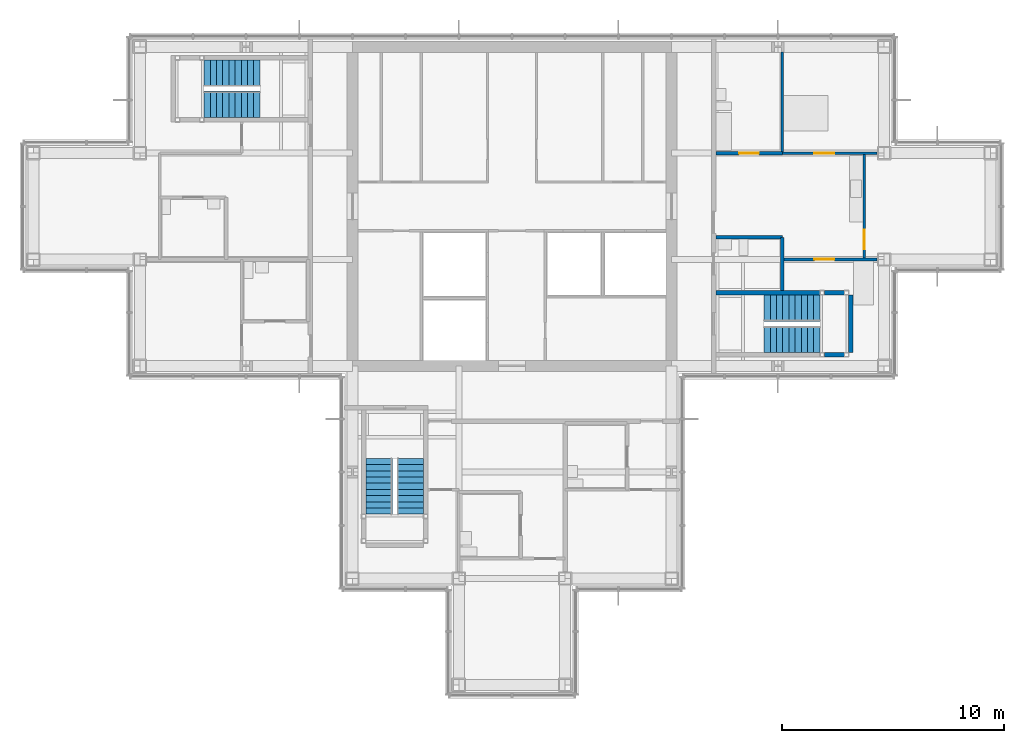
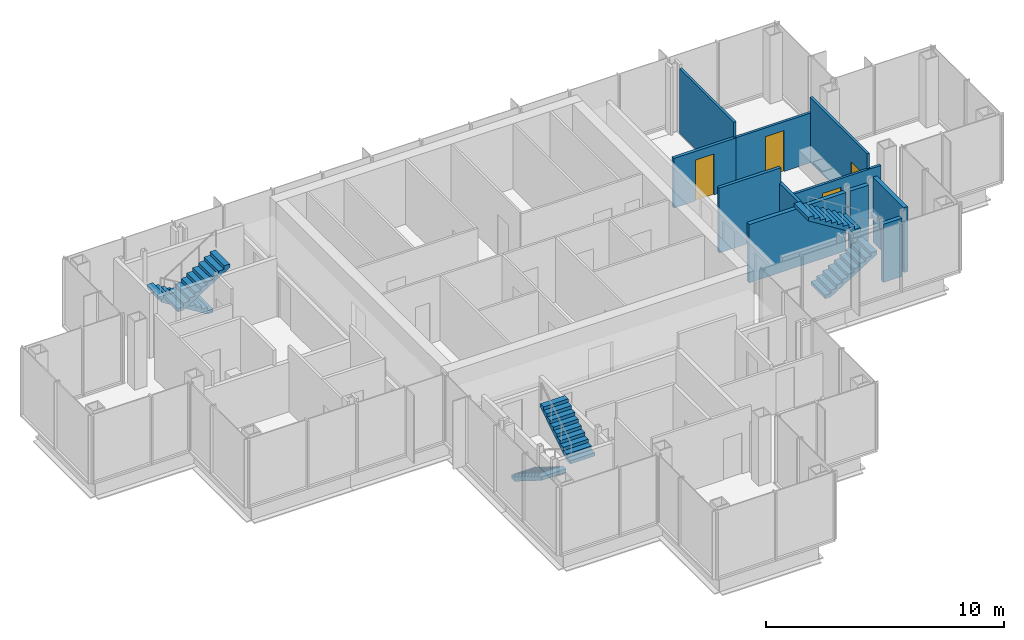
# One storey, part 12 of 15: 11 walls, 6 stair flights, 4 doors, 4 openings, 3 elements without a shape of their own.
"""IFC4 building model written with IfcOpenShell, lengths in metres."""

from ifc_helpers import new_model, si_unit, direction, frame, frame_2d, origin, place, context, subcontext, project, spatial, polyline, rectangle, outline, extrude, material, layer, layer_set, type_object, element, fill, aggregate, save


model = new_model("IFC4")

# Units and contexts
model_context = context("Model", 3, precision=1e-05, world=origin(), true_north=direction((0.0, 1.0)))
body_context = subcontext(model_context, "Body", "Model", "MODEL_VIEW")
ifc_project = project(units=[si_unit("LENGTHUNIT", "METRE"), si_unit("AREAUNIT", "SQUARE_METRE"), si_unit("VOLUMEUNIT", "CUBIC_METRE"), si_unit("PLANEANGLEUNIT", "RADIAN"), si_unit("MASSUNIT", "GRAM", prefix="KILO")], contexts=[model_context])

# Site, building, storey
site_placement = place(None, origin())
site = spatial("IfcSite", under=ifc_project, at=site_placement, CompositionType="ELEMENT")
building_placement = place(site_placement, origin())
building = spatial("IfcBuilding", under=site, at=building_placement, Name="Kvirike Care Tower", CompositionType="ELEMENT")
storey_placement = place(building_placement, frame((0.0, 0.0, 233.0)))
storey = spatial("IfcBuildingStorey", under=building, at=storey_placement, Name="L64", CompositionType="ELEMENT", Elevation=233.0)

# Walls
ifc_material_1 = material(Name="Moisture-resistant board partition", Category="gypsum")
ifc_layer_1 = layer(ifc_material_1, 0.14990234375)
ifc_layer_set_1 = layer_set([ifc_layer_1], Name="BATHROOM WALL 150")
wall_type_1 = type_object("IfcWallType", Name="BATHROOM WALL 150", PredefinedType="PARTITIONING", material=ifc_layer_set_1)
wall_1_placement = place(storey_placement, frame((33.800048828125, 32.199951171875, 0.0), z_axis=(0.0, 0.0, 1.0), x_axis=(0.0, 1.0, 0.0)))
element("IfcWall", 1, at=wall_1_placement, inside=storey, type_object=wall_type_1, Name="Bathroom Wall 150 L64", PredefinedType="PARTITIONING", context=body_context, shape_type="SweptSolid", body=[
    extrude(rectangle(XDim=2.400146484375, YDim=0.14990234375, at=frame_2d((1.2001953125, 0.0))), origin(), (0.0, 0.0, 1.0), 2.550048828125),
])
wall_2_placement = place(storey_placement, frame((33.800048828125, 34.60009765625, 0.0), z_axis=(0.0, 0.0, 1.0), x_axis=(-1.0, 0.0, 0.0)))
element("IfcWall", 2, at=wall_2_placement, inside=storey, type_object=wall_type_1, Name="Bathroom Wall 150 L64", PredefinedType="PARTITIONING", context=body_context, shape_type="SweptSolid", body=[
    extrude(rectangle(XDim=3.0, YDim=0.14990234375, at=frame_2d((1.5, 0.0))), origin(), (0.0, 0.0, 1.0), 3.330078125),
])

# Wall, opening, door
wall_3_placement = place(storey_placement, frame((33.800048828125, 38.39990234375, 0.0), z_axis=(0.0, 0.0, 1.0), x_axis=(-1.0, 0.0, 0.0)))
wall_3 = element("IfcWall", 3, at=wall_3_placement, inside=storey, type_object=wall_type_1, Name="Bathroom Wall 150 L64", PredefinedType="PARTITIONING", context=body_context, shape_type="SweptSolid", body=[
    extrude(rectangle(XDim=3.0, YDim=0.14990234375, at=frame_2d((1.5, 0.0))), origin(), (0.0, 0.0, 1.0), 2.550048828125),
])
opening_1_placement = place(wall_3_placement, frame((1.050048828125, 0.0, 0.0)))
opening_1 = element("IfcOpeningElement", 4, at=opening_1_placement, cuts=wall_3, Name="Opening 64-016", PredefinedType="OPENING", context=body_context, shape_type="SweptSolid", body=[
    extrude(rectangle(XDim=0.89990234375, YDim=2.10009765625, at=frame_2d((0.449951171875, 1.050048828125))), frame((0.0, 0.08544921875, 0.0), z_axis=(0.0, -1.0, 0.0), x_axis=(1.0, 0.0, 0.0)), (0.0, 0.0, 1.0), 0.1708984375),
])
ifc_material_2 = material(Name="Timber door set", Category="wood")
door_type_1 = type_object("IfcDoorType", Name="BATHROOM DOOR 900", OperationType="SINGLE_SWING_RIGHT", PredefinedType="DOOR", material=ifc_material_2)
door_1_placement = place(opening_1_placement, frame((0.89990234375, 0.0, 0.0), z_axis=(0.0, 0.0, 1.0), x_axis=(-1.0, 0.0, 0.0)))
door_1 = element("IfcDoor", 5, at=door_1_placement, inside=storey, type_object=door_type_1, Name="Bathroom door", OperationType="SINGLE_SWING_RIGHT", OverallHeight=2.10009765625, OverallWidth=0.89990234375, PredefinedType="DOOR", context=body_context, shape_type="SweptSolid", body=[
    extrude(rectangle(XDim=0.89990234375, YDim=2.10009765625, at=frame_2d((0.449951171875, 1.050048828125))), frame((0.0, 0.02197265625, 0.0), z_axis=(0.0, -1.0, 0.0), x_axis=(1.0, 0.0, 0.0)), (0.0, 0.0, 1.0), 0.0439453125),
])
fill(opening_1, door_1)

ifc_material_3 = material(Name="Plasterboard partition", Category="gypsum")
ifc_layer_2 = layer(ifc_material_3, 0.1201171875)
ifc_layer_set_2 = layer_set([ifc_layer_2], Name="PARTITION 120")
wall_type_2 = type_object("IfcWallType", Name="PARTITION 120", PredefinedType="PARTITIONING", material=ifc_layer_set_2)
wall_4_placement = place(storey_placement, frame((37.5, 33.60009765625, 0.0), z_axis=(0.0, 0.0, 1.0), x_axis=(0.0, 1.0, 0.0)))
wall_4 = element("IfcWall", 6, at=wall_4_placement, inside=storey, type_object=wall_type_2, Name="Partition 120 L64", PredefinedType="PARTITIONING", context=body_context, shape_type="SweptSolid", body=[
    extrude(rectangle(XDim=4.7998046875, YDim=0.1201171875, at=frame_2d((2.39990234375, 0.0))), origin(), (0.0, 0.0, 1.0), 3.330078125),
])
opening_2_placement = place(wall_4_placement, frame((0.449951171875, 0.0, 0.0)))
opening_2 = element("IfcOpeningElement", 7, at=opening_2_placement, cuts=wall_4, Name="Opening 64-017", PredefinedType="OPENING", context=body_context, shape_type="SweptSolid", body=[
    extrude(rectangle(XDim=0.89990234375, YDim=2.10009765625, at=frame_2d((0.449951171875, 1.050048828125))), frame((0.0, 0.070556640625, 0.0), z_axis=(0.0, -1.0, 0.0), x_axis=(1.0, 0.0, 0.0)), (0.0, 0.0, 1.0), 0.14111328125),
])
ifc_material_4 = material(Name="Timber door set", Category="wood")
door_type_2 = type_object("IfcDoorType", Name="INTERNAL DOOR 900", OperationType="SINGLE_SWING_LEFT", PredefinedType="DOOR", material=ifc_material_4)
door_2_placement = place(opening_2_placement, frame((0.89990234375, 0.0, 0.0), z_axis=(0.0, 0.0, 1.0), x_axis=(-1.0, 0.0, 0.0)))
door_2 = element("IfcDoor", 8, at=door_2_placement, inside=storey, type_object=door_type_2, Name="Apartment living room door", OperationType="SINGLE_SWING_LEFT", OverallHeight=2.10009765625, OverallWidth=0.89990234375, PredefinedType="DOOR", context=body_context, shape_type="SweptSolid", body=[
    extrude(rectangle(XDim=0.89990234375, YDim=2.10009765625, at=frame_2d((0.449951171875, 1.050048828125))), frame((0.0, 0.02197265625, 0.0), z_axis=(0.0, -1.0, 0.0), x_axis=(1.0, 0.0, 0.0)), (0.0, 0.0, 1.0), 0.0439453125),
])
fill(opening_2, door_2)

# Wall
wall_5_placement = place(storey_placement, frame((33.800048828125, 38.39990234375, 0.0), z_axis=(0.0, 0.0, 1.0), x_axis=(0.0, 1.0, 0.0)))
element("IfcWall", 9, at=wall_5_placement, inside=storey, type_object=wall_type_2, Name="Partition 120 L64", PredefinedType="PARTITIONING", context=body_context, shape_type="SweptSolid", body=[
    extrude(rectangle(XDim=4.55615234375, YDim=0.1201171875, at=frame_2d((2.278076171875, 0.0))), origin(), (0.0, 0.0, 1.0), 3.330078125),
])

# Wall, opening, door
wall_6_placement = place(storey_placement, frame((38.080078125, 33.60009765625, 0.0), z_axis=(0.0, 0.0, 1.0), x_axis=(-1.0, 0.0, 0.0)))
wall_6 = element("IfcWall", 10, at=wall_6_placement, inside=storey, type_object=wall_type_2, Name="Partition 120 L64", PredefinedType="PARTITIONING", context=body_context, shape_type="SweptSolid", body=[
    extrude(rectangle(XDim=4.280029296875, YDim=0.1201171875, at=frame_2d((2.14013671875, 0.0))), origin(), (0.0, 0.0, 1.0), 2.550048828125),
])
opening_3_placement = place(wall_6_placement, frame((1.929931640625, 0.0, 0.0)))
opening_3 = element("IfcOpeningElement", 11, at=opening_3_placement, cuts=wall_6, Name="Opening 64-018", PredefinedType="OPENING", context=body_context, shape_type="SweptSolid", body=[
    extrude(rectangle(XDim=0.89990234375, YDim=2.10009765625, at=frame_2d((0.449951171875, 1.050048828125))), frame((0.0, 0.070556640625, 0.0), z_axis=(0.0, -1.0, 0.0), x_axis=(1.0, 0.0, 0.0)), (0.0, 0.0, 1.0), 0.14111328125),
])
door_3_placement = place(opening_3_placement, origin())
door_3 = element("IfcDoor", 12, at=door_3_placement, inside=storey, type_object=door_type_2, Name="Connecting door", OperationType="SINGLE_SWING_LEFT", OverallHeight=2.10009765625, OverallWidth=0.89990234375, PredefinedType="DOOR", context=body_context, shape_type="SweptSolid", body=[
    extrude(rectangle(XDim=0.89990234375, YDim=2.10009765625, at=frame_2d((0.449951171875, 1.050048828125))), frame((0.0, 0.02197265625, 0.0), z_axis=(0.0, -1.0, 0.0), x_axis=(1.0, 0.0, 0.0)), (0.0, 0.0, 1.0), 0.0439453125),
])
fill(opening_3, door_3)

wall_7_placement = place(storey_placement, frame((38.080078125, 38.39990234375, 0.0), z_axis=(0.0, 0.0, 1.0), x_axis=(-1.0, 0.0, 0.0)))
wall_7 = element("IfcWall", 13, at=wall_7_placement, inside=storey, type_object=wall_type_2, Name="Partition 120 L64", PredefinedType="PARTITIONING", context=body_context, shape_type="SweptSolid", body=[
    extrude(rectangle(XDim=4.280029296875, YDim=0.1201171875, at=frame_2d((2.14013671875, 0.0))), origin(), (0.0, 0.0, 1.0), 2.550048828125),
])
opening_4_placement = place(wall_7_placement, frame((1.929931640625, 0.0, 0.0)))
opening_4 = element("IfcOpeningElement", 14, at=opening_4_placement, cuts=wall_7, Name="Opening 64-019", PredefinedType="OPENING", context=body_context, shape_type="SweptSolid", body=[
    extrude(rectangle(XDim=0.89990234375, YDim=2.10009765625, at=frame_2d((0.449951171875, 1.050048828125))), frame((0.0, 0.070556640625, 0.0), z_axis=(0.0, -1.0, 0.0), x_axis=(1.0, 0.0, 0.0)), (0.0, 0.0, 1.0), 0.14111328125),
])
door_4_placement = place(opening_4_placement, frame((0.89990234375, 0.0, 0.0), z_axis=(0.0, 0.0, 1.0), x_axis=(-1.0, 0.0, 0.0)))
door_4 = element("IfcDoor", 15, at=door_4_placement, inside=storey, type_object=door_type_2, Name="Connecting door", OperationType="SINGLE_SWING_RIGHT", OverallHeight=2.10009765625, OverallWidth=0.89990234375, PredefinedType="DOOR", context=body_context, shape_type="SweptSolid", body=[
    extrude(rectangle(XDim=0.89990234375, YDim=2.10009765625, at=frame_2d((0.449951171875, 1.050048828125))), frame((0.0, 0.02197265625, 0.0), z_axis=(0.0, -1.0, 0.0), x_axis=(1.0, 0.0, 0.0)), (0.0, 0.0, 1.0), 0.0439453125),
])
fill(opening_4, door_4)

# Walls
ifc_material_5 = material(Name="Concrete C40/50", Category="concrete")
ifc_layer_3 = layer(ifc_material_5, 0.199951171875)
ifc_layer_set_3 = layer_set([ifc_layer_3], Name="STAIR WALL 200")
wall_type_3 = type_object("IfcWallType", Name="STAIR WALL 200", PredefinedType="SOLIDWALL", material=ifc_layer_set_3)
for number, where, z_axis, x_axis, name in (
    (16, (36.60009765625, 29.300048828125, 0.0), (0.0, 0.0, 1.0), (-1.0, 0.0, 0.0), "Stair Wall 200 L64"),
    (17, (36.60009765625, 32.10009765625, 0.0), (0.0, 0.0, 1.0), (-1.0, 0.0, 0.0), "Stair Wall 200 L64"),
):
    element("IfcWall", number, at=place(storey_placement, frame(where, z_axis=z_axis, x_axis=x_axis)), inside=storey, type_object=wall_type_3, Name=name, PredefinedType="SOLIDWALL", context=body_context, shape_type="SweptSolid", body=[
        extrude(rectangle(XDim=0.900146484375, YDim=0.199951171875, at=frame_2d((0.4501953125, 0.0))), origin(), (0.0, 0.0, 1.0), 2.989990234375),
    ])
wall_8_placement = place(storey_placement, frame((35.5, 32.10009765625, 0.0), z_axis=(0.0, 0.0, 1.0), x_axis=(-1.0, 0.0, 0.0)))
element("IfcWall", 18, at=wall_8_placement, inside=storey, type_object=wall_type_3, Name="Stair Wall 200 L64", PredefinedType="SOLIDWALL", context=body_context, shape_type="SweptSolid", body=[
    extrude(rectangle(XDim=4.699951171875, YDim=0.199951171875, at=frame_2d((2.35009765625, 0.0))), origin(), (0.0, 0.0, 1.0), 2.989990234375),
])
wall_9_placement = place(storey_placement, frame((36.89990234375, 29.39990234375, 0.0), z_axis=(0.0, 0.0, 1.0), x_axis=(0.0, 1.0, 0.0)))
element("IfcWall", 19, at=wall_9_placement, inside=storey, type_object=wall_type_3, Name="Stair Wall 200 L64", PredefinedType="SOLIDWALL", context=body_context, shape_type="SweptSolid", body=[
    extrude(rectangle(XDim=2.60009765625, YDim=0.199951171875, at=frame_2d((1.300048828125, 0.0))), origin(), (0.0, 0.0, 1.0), 3.330078125),
])

# Stair, stair flights
ifc_material_6 = material(Name="Concrete C35/45", Category="concrete")
stair_type = type_object("IfcStairType", Name="STAIR 20 RISERS", PredefinedType="HALF_TURN_STAIR", material=ifc_material_6)
stair_1_placement = place(storey_placement, origin())
stair_1 = element("IfcStair", 20, at=stair_1_placement, inside=storey, type_object=stair_type, Name="Stair 1 L64", PredefinedType="HALF_TURN_STAIR")
ifc_material_7 = material(Name="Concrete C35/45", Category="concrete")
stair_flight_type = type_object("IfcStairFlightType", Name="FLIGHT 10 RISERS", PredefinedType="STRAIGHT", material=ifc_material_7)
stair_flight_1_placement = place(storey_placement, frame((10.219970703125, 42.0, 0.0), z_axis=(0.0, 0.0, 1.0), x_axis=(-1.0, 0.0, 0.0)))
stair_flight_1 = element("IfcStairFlight", 21, at=stair_flight_1_placement, type_object=stair_flight_type, Name="Stair S1 flight 1 L64-L65", NumberOfRisers=10, NumberOfTreads=9, PredefinedType="STRAIGHT", RiserHeight=0.175, TreadLength=0.28, context=body_context, shape_type="SweptSolid", body=[
    extrude(outline(polyline([(0.0, 0.0), (0.0, 0.175048828125), (0.280029296875, 0.175048828125), (0.280029296875, 0.35009765625), (0.56005859375, 0.35009765625), (0.56005859375, 0.52490234375), (0.840087890625, 0.52490234375), (0.840087890625, 0.699951171875), (1.1201171875, 0.699951171875), (1.1201171875, 0.875), (1.39990234375, 0.875), (1.39990234375, 1.050048828125), (1.679931640625, 1.050048828125), (1.679931640625, 1.22509765625), (1.9599609375, 1.22509765625), (1.9599609375, 1.39990234375), (2.239990234375, 1.39990234375), (2.239990234375, 1.574951171875), (2.52001953125, 1.574951171875), (2.52001953125, 1.75), (2.52001953125, 1.398193359375), (0.28271484375, 0.0), (0.0, 0.0)])), frame((0.0, 0.60009765625, 0.0), z_axis=(0.0, -1.0, 0.0), x_axis=(1.0, 0.0, 0.0)), (0.0, 0.0, 1.0), 1.199951171875),
])
stair_flight_2_placement = place(storey_placement, frame((7.699951171875, 40.60009765625, 1.75), z_axis=(0.0, 0.0, 1.0), x_axis=(1.0, 0.0, 0.0)))
stair_flight_2 = element("IfcStairFlight", 22, at=stair_flight_2_placement, type_object=stair_flight_type, Name="Stair S1 flight 2 L64-L65", NumberOfRisers=10, NumberOfTreads=9, PredefinedType="STRAIGHT", RiserHeight=0.175, TreadLength=0.28, context=body_context, shape_type="SweptSolid", body=[
    extrude(outline(polyline([(0.0, 0.0), (0.0, 0.175048828125), (0.280029296875, 0.175048828125), (0.280029296875, 0.35009765625), (0.56005859375, 0.35009765625), (0.56005859375, 0.52490234375), (0.840087890625, 0.52490234375), (0.840087890625, 0.699951171875), (1.1201171875, 0.699951171875), (1.1201171875, 0.875), (1.39990234375, 0.875), (1.39990234375, 1.050048828125), (1.679931640625, 1.050048828125), (1.679931640625, 1.22509765625), (1.9599609375, 1.22509765625), (1.9599609375, 1.39990234375), (2.239990234375, 1.39990234375), (2.239990234375, 1.574951171875), (2.52001953125, 1.574951171875), (2.52001953125, 1.75), (2.52001953125, 1.398193359375), (0.28271484375, 0.0), (0.0, 0.0)])), frame((0.0, 0.60009765625, 0.0), z_axis=(0.0, -1.0, 0.0), x_axis=(1.0, 0.0, 0.0)), (0.0, 0.0, 1.0), 1.199951171875),
])
aggregate(stair_1, [stair_flight_1, stair_flight_2])

stair_2_placement = place(storey_placement, origin())
stair_2 = element("IfcStair", 23, at=stair_2_placement, inside=storey, type_object=stair_type, Name="Stair 2 L64", PredefinedType="HALF_TURN_STAIR")
stair_flight_3_placement = place(storey_placement, frame((32.97998046875, 30.0, 0.0), z_axis=(0.0, 0.0, 1.0), x_axis=(1.0, 0.0, 0.0)))
stair_flight_3 = element("IfcStairFlight", 24, at=stair_flight_3_placement, type_object=stair_flight_type, Name="Stair S2 flight 1 L64-L65", NumberOfRisers=10, NumberOfTreads=9, PredefinedType="STRAIGHT", RiserHeight=0.175, TreadLength=0.28, context=body_context, shape_type="SweptSolid", body=[
    extrude(outline(polyline([(0.0, 0.0), (0.0, 0.175048828125), (0.280029296875, 0.175048828125), (0.280029296875, 0.35009765625), (0.56005859375, 0.35009765625), (0.56005859375, 0.52490234375), (0.840087890625, 0.52490234375), (0.840087890625, 0.699951171875), (1.1201171875, 0.699951171875), (1.1201171875, 0.875), (1.39990234375, 0.875), (1.39990234375, 1.050048828125), (1.679931640625, 1.050048828125), (1.679931640625, 1.22509765625), (1.9599609375, 1.22509765625), (1.9599609375, 1.39990234375), (2.239990234375, 1.39990234375), (2.239990234375, 1.574951171875), (2.52001953125, 1.574951171875), (2.52001953125, 1.75), (2.52001953125, 1.398193359375), (0.28271484375, 0.0), (0.0, 0.0)])), frame((0.0, 0.60009765625, 0.0), z_axis=(0.0, -1.0, 0.0), x_axis=(1.0, 0.0, 0.0)), (0.0, 0.0, 1.0), 1.199951171875),
])
stair_flight_4_placement = place(storey_placement, frame((35.5, 31.39990234375, 1.75), z_axis=(0.0, 0.0, 1.0), x_axis=(-1.0, 0.0, 0.0)))
stair_flight_4 = element("IfcStairFlight", 25, at=stair_flight_4_placement, type_object=stair_flight_type, Name="Stair S2 flight 2 L64-L65", NumberOfRisers=10, NumberOfTreads=9, PredefinedType="STRAIGHT", RiserHeight=0.175, TreadLength=0.28, context=body_context, shape_type="SweptSolid", body=[
    extrude(outline(polyline([(0.0, 0.0), (0.0, 0.175048828125), (0.280029296875, 0.175048828125), (0.280029296875, 0.35009765625), (0.56005859375, 0.35009765625), (0.56005859375, 0.52490234375), (0.840087890625, 0.52490234375), (0.840087890625, 0.699951171875), (1.1201171875, 0.699951171875), (1.1201171875, 0.875), (1.39990234375, 0.875), (1.39990234375, 1.050048828125), (1.679931640625, 1.050048828125), (1.679931640625, 1.22509765625), (1.9599609375, 1.22509765625), (1.9599609375, 1.39990234375), (2.239990234375, 1.39990234375), (2.239990234375, 1.574951171875), (2.52001953125, 1.574951171875), (2.52001953125, 1.75), (2.52001953125, 1.398193359375), (0.28271484375, 0.0), (0.0, 0.0)])), frame((0.0, 0.60009765625, 0.0), z_axis=(0.0, -1.0, 0.0), x_axis=(1.0, 0.0, 0.0)), (0.0, 0.0, 1.0), 1.199951171875),
])
aggregate(stair_2, [stair_flight_3, stair_flight_4])

stair_3_placement = place(storey_placement, origin())
stair_3 = element("IfcStair", 26, at=stair_3_placement, inside=storey, type_object=stair_type, Name="Stair 5 L64", PredefinedType="HALF_TURN_STAIR")
stair_flight_5_placement = place(storey_placement, frame((15.60009765625, 24.6201171875, 0.0), z_axis=(0.0, 0.0, 1.0), x_axis=(0.0, -1.0, 0.0)))
stair_flight_5 = element("IfcStairFlight", 27, at=stair_flight_5_placement, type_object=stair_flight_type, Name="Stair S5 flight 1 L64-L65", NumberOfRisers=10, NumberOfTreads=9, PredefinedType="STRAIGHT", RiserHeight=0.175, TreadLength=0.28, context=body_context, shape_type="SweptSolid", body=[
    extrude(outline(polyline([(0.0, 0.0), (0.0, 0.175048828125), (0.280029296875, 0.175048828125), (0.280029296875, 0.35009765625), (0.56005859375, 0.35009765625), (0.56005859375, 0.52490234375), (0.840087890625, 0.52490234375), (0.840087890625, 0.699951171875), (1.1201171875, 0.699951171875), (1.1201171875, 0.875), (1.39990234375, 0.875), (1.39990234375, 1.050048828125), (1.679931640625, 1.050048828125), (1.679931640625, 1.22509765625), (1.9599609375, 1.22509765625), (1.9599609375, 1.39990234375), (2.239990234375, 1.39990234375), (2.239990234375, 1.574951171875), (2.52001953125, 1.574951171875), (2.52001953125, 1.75), (2.52001953125, 1.398193359375), (0.28271484375, 0.0), (0.0, 0.0)])), frame((0.0, 0.60009765625, 0.0), z_axis=(0.0, -1.0, 0.0), x_axis=(1.0, 0.0, 0.0)), (0.0, 0.0, 1.0), 1.199951171875),
])
stair_flight_6_placement = place(storey_placement, frame((17.0, 22.10009765625, 1.75), z_axis=(0.0, 0.0, 1.0), x_axis=(0.0, 1.0, 0.0)))
stair_flight_6 = element("IfcStairFlight", 28, at=stair_flight_6_placement, type_object=stair_flight_type, Name="Stair S5 flight 2 L64-L65", NumberOfRisers=10, NumberOfTreads=9, PredefinedType="STRAIGHT", RiserHeight=0.175, TreadLength=0.28, context=body_context, shape_type="SweptSolid", body=[
    extrude(outline(polyline([(0.0, 0.0), (0.0, 0.175048828125), (0.280029296875, 0.175048828125), (0.280029296875, 0.35009765625), (0.56005859375, 0.35009765625), (0.56005859375, 0.52490234375), (0.840087890625, 0.52490234375), (0.840087890625, 0.699951171875), (1.1201171875, 0.699951171875), (1.1201171875, 0.875), (1.39990234375, 0.875), (1.39990234375, 1.050048828125), (1.679931640625, 1.050048828125), (1.679931640625, 1.22509765625), (1.9599609375, 1.22509765625), (1.9599609375, 1.39990234375), (2.239990234375, 1.39990234375), (2.239990234375, 1.574951171875), (2.52001953125, 1.574951171875), (2.52001953125, 1.75), (2.52001953125, 1.398193359375), (0.28271484375, 0.0), (0.0, 0.0)])), frame((0.0, 0.60009765625, 0.0), z_axis=(0.0, -1.0, 0.0), x_axis=(1.0, 0.0, 0.0)), (0.0, 0.0, 1.0), 1.199951171875),
])
aggregate(stair_3, [stair_flight_5, stair_flight_6])

save(model, "model.ifc")
